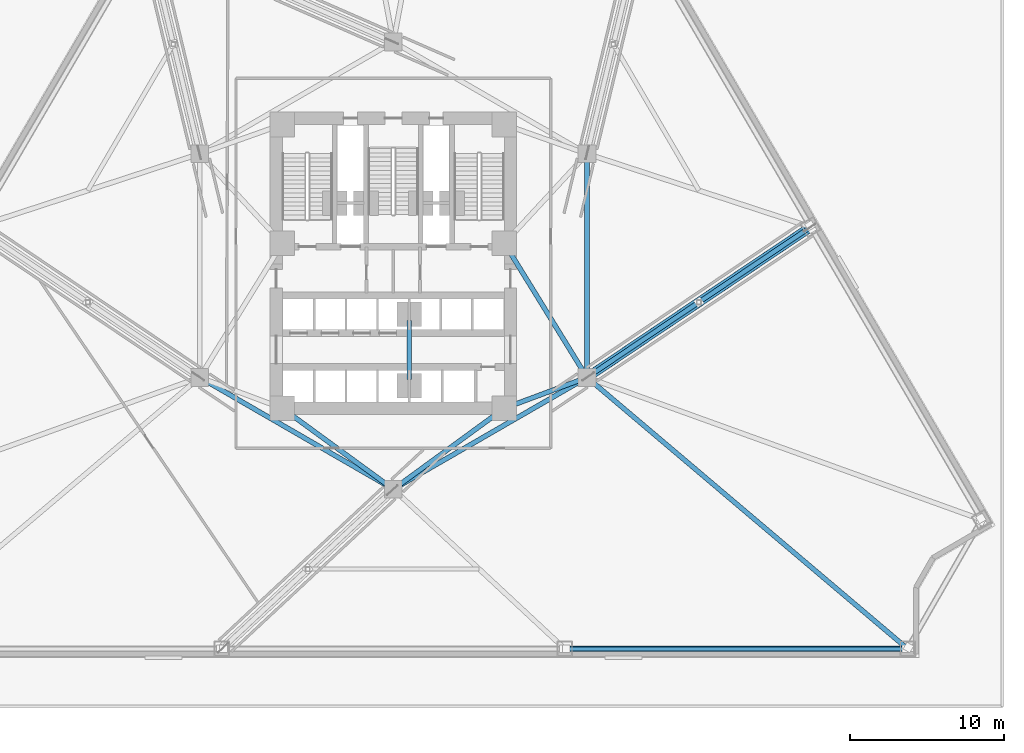
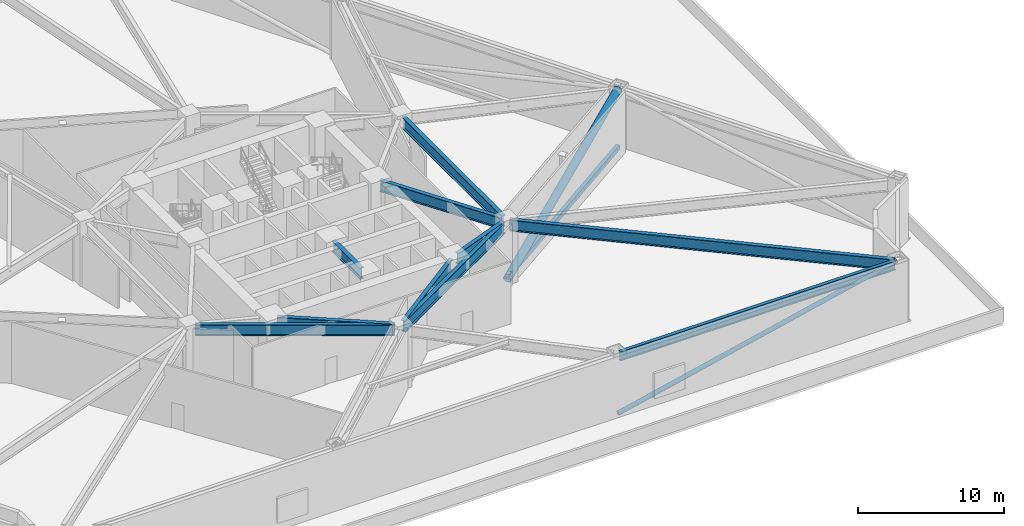
# One storey, part 3 of 23: 10 beams, 3 members.
"""IFC4 building model written with IfcOpenShell, lengths in metres."""

from ifc_helpers import new_model, si_unit, direction, frame, origin, origin_2d, place, context, subcontext, project, spatial, hollow_rectangle, hollow_circle, i_section, extrude, material, material_profile, profile_set, type_object, element, save


model = new_model("IFC4")

# Units and contexts
model_context = context("Model", 3, precision=1e-05, world=origin(), true_north=direction((0.0, 1.0)))
body_context = subcontext(model_context, "Body", "Model", "MODEL_VIEW")
ifc_project = project(units=[si_unit("LENGTHUNIT", "METRE"), si_unit("AREAUNIT", "SQUARE_METRE"), si_unit("VOLUMEUNIT", "CUBIC_METRE"), si_unit("PLANEANGLEUNIT", "RADIAN"), si_unit("MASSUNIT", "GRAM", prefix="KILO")], contexts=[model_context])

# Site, building, storey
site_placement = place(None, origin())
site = spatial("IfcSite", under=ifc_project, at=site_placement, CompositionType="ELEMENT")
building_placement = place(site_placement, origin())
building = spatial("IfcBuilding", under=site, at=building_placement, Name="Apsidion Concourse Tower", CompositionType="ELEMENT")
storey_placement = place(building_placement, frame((0.0, 0.0, 29.0)))
storey = spatial("IfcBuildingStorey", under=building, at=storey_placement, Name="L05", CompositionType="ELEMENT", Elevation=29.0)

# Beams
ifc_material_1 = material(Name="Structural steel ASTM A992 Grade 50", Category="steel")
ifc_material_profile_1 = material_profile(ifc_material_1, i_section(OverallWidth=0.31005859375, OverallDepth=0.931884765625, WebThickness=0.02099609375, FlangeThickness=0.034423828125, at=origin_2d()), Name="W36X210")
ifc_profile_set_1 = profile_set([ifc_material_profile_1], Name="Structural steel ASTM A992 Grade 50")
beam_type_1 = type_object("IfcBeamType", Name="BM-G-W36", PredefinedType="USERDEFINED", material=ifc_profile_set_1)
beam_1_placement = place(storey_placement, frame((12.185302734375, -7.389892578125, 4.68408203125), z_axis=(-0.936913021145, -0.349562570664, 0.0), x_axis=(0.349562570664, -0.936913021145, 0.0)))
element("IfcBeam", 1, at=beam_1_placement, inside=storey, type_object=beam_type_1, Name="L05 Core Coupling Girder IC2-SC2", ObjectType="GIRDER", PredefinedType="USERDEFINED", context=body_context, shape_type="SweptSolid", body=[
    extrude(i_section(OverallWidth=0.31005859375, OverallDepth=0.931884765625, WebThickness=0.02099609375, FlangeThickness=0.034423828125, at=origin_2d()), origin(), (0.0, 0.0, 1.0), 4.921142578125),
])
beam_2_placement = place(storey_placement, frame((12.35009765625, -6.909423828125, 4.68408203125), z_axis=(-0.524524009763, 0.851395656074, 0.0), x_axis=(-0.851395656074, -0.524524009763, 0.0)))
element("IfcBeam", 2, at=beam_2_placement, inside=storey, type_object=beam_type_1, Name="L05 Core Coupling Girder IC2-SC3", ObjectType="GIRDER", PredefinedType="USERDEFINED", context=body_context, shape_type="SweptSolid", body=[
    extrude(i_section(OverallWidth=0.31005859375, OverallDepth=0.931884765625, WebThickness=0.02099609375, FlangeThickness=0.034423828125, at=origin_2d()), origin(), (0.0, 0.0, 1.0), 9.41845703125),
])
for number, where, z_axis, x_axis, name in (
    (3, (-0.3232421875, -14.264404296875, 4.68408203125), (-0.807993498909, 0.589191399905, 0.0), (-0.589191399905, -0.807993498909, 0.0), "L05 Core Coupling Girder IC6-SC1"),
    (4, (0.3232421875, -14.264404296875, 4.68408203125), (0.807993498909, 0.589191399905, 0.0), (-0.589191399905, 0.807993498909, 0.0), "L05 Core Coupling Girder IC6-SC2"),
):
    element("IfcBeam", number, at=place(storey_placement, frame(where, z_axis=z_axis, x_axis=x_axis)), inside=storey, type_object=beam_type_1, Name=name, ObjectType="GIRDER", PredefinedType="USERDEFINED", context=body_context, shape_type="SweptSolid", body=[
        extrude(i_section(OverallWidth=0.31005859375, OverallDepth=0.931884765625, WebThickness=0.02099609375, FlangeThickness=0.034423828125, at=origin_2d()), origin(), (0.0, 0.0, 1.0), 8.11083984375),
    ])
beam_3_placement = place(storey_placement, frame((12.56005859375, 6.85009765625, 4.68408203125), z_axis=(0.0, -1.0, 0.0), x_axis=(1.0, 0.0, 0.0)))
element("IfcBeam", 5, at=beam_3_placement, inside=storey, type_object=beam_type_1, Name="L05 Core Coupling Girder IC3-IC2", ObjectType="GIRDER", PredefinedType="USERDEFINED", context=body_context, shape_type="SweptSolid", body=[
    extrude(i_section(OverallWidth=0.31005859375, OverallDepth=0.931884765625, WebThickness=0.02099609375, FlangeThickness=0.034423828125, at=origin_2d()), origin(), (0.0, 0.0, 1.0), 13.7001953125),
])
for number, where, z_axis, x_axis, name in (
    (6, (12.213623046875, -7.449951171875, 4.68408203125), (-0.866070471464, -0.499921932364, 0.0), (0.499921932364, -0.866070471464, 0.0), "L05 Core Coupling Girder IC2-IC6"),
    (7, (-0.346435546875, -14.300048828125, 4.68408203125), (-0.866070471464, 0.499921932364, 0.0), (-0.499921932364, -0.866070471464, 0.0), "L05 Core Coupling Girder IC6-IC1"),
):
    element("IfcBeam", number, at=place(storey_placement, frame(where, z_axis=z_axis, x_axis=x_axis)), inside=storey, type_object=beam_type_1, Name=name, ObjectType="GIRDER", PredefinedType="USERDEFINED", context=body_context, shape_type="SweptSolid", body=[
        extrude(i_section(OverallWidth=0.31005859375, OverallDepth=0.931884765625, WebThickness=0.02099609375, FlangeThickness=0.034423828125, at=origin_2d()), origin(), (0.0, 0.0, 1.0), 13.702392578125),
    ])
beam_4_placement = place(storey_placement, frame((1.02490234375, -3.550048828125, 4.68408203125), z_axis=(0.0, -1.0, 0.0), x_axis=(1.0, 0.0, 0.0)))
element("IfcBeam", 8, at=beam_4_placement, inside=storey, type_object=beam_type_1, Name="L05 Core Coupling Girder CC5-CC6", ObjectType="GIRDER", PredefinedType="USERDEFINED", context=body_context, shape_type="SweptSolid", body=[
    extrude(i_section(OverallWidth=0.31005859375, OverallDepth=0.931884765625, WebThickness=0.02099609375, FlangeThickness=0.034423828125, at=origin_2d()), origin(), (0.0, 0.0, 1.0), 3.849853515625),
])
beam_5_placement = place(storey_placement, frame((12.727783203125, -7.39208984375, 4.68408203125), z_axis=(0.763231804576, -0.646124765416, 0.0), x_axis=(0.646124765416, 0.763231804576, 0.0)))
element("IfcBeam", 9, at=beam_5_placement, inside=storey, type_object=beam_type_1, Name="L05 Radial Floor Girder RAD-08", ObjectType="GIRDER", PredefinedType="USERDEFINED", context=body_context, shape_type="SweptSolid", body=[
    extrude(i_section(OverallWidth=0.31005859375, OverallDepth=0.931884765625, WebThickness=0.02099609375, FlangeThickness=0.034423828125, at=origin_2d()), origin(), (0.0, 0.0, 1.0), 26.799560546875),
])
ifc_material_profile_2 = material_profile(ifc_material_1, i_section(OverallWidth=0.26806640625, OverallDepth=0.77001953125, WebThickness=0.015625, FlangeThickness=0.025390625, at=origin_2d()), Name="W30X132")
ifc_profile_set_2 = profile_set([ifc_material_profile_2], Name="Structural steel ASTM A992 Grade 50")
beam_type_2 = type_object("IfcBeamType", Name="BM-SP-W30", PredefinedType="SPANDREL", material=ifc_profile_set_2)
beam_6_placement = place(storey_placement, frame((11.336669921875, -24.85009765625, 4.764892578125), z_axis=(1.0, 0.0, 0.0), x_axis=(0.0, 1.0, 0.0)))
element("IfcBeam", 10, at=beam_6_placement, inside=storey, type_object=beam_type_2, Name="L05 Perimeter Spandrel Girder SP-07", PredefinedType="SPANDREL", context=body_context, shape_type="SweptSolid", body=[
    extrude(i_section(OverallWidth=0.26806640625, OverallDepth=0.77001953125, WebThickness=0.015625, FlangeThickness=0.025390625, at=origin_2d()), origin(), (0.0, 0.0, 1.0), 21.793212890625),
])

# Members
ifc_material_2 = material(Name="Structural steel ASTM A500 Grade C", Category="steel")
ifc_material_profile_3 = material_profile(ifc_material_2, hollow_circle(Radius=0.177978515625, WallThickness=0.02001953125, at=origin_2d()), Name="CHS356X20")
ifc_profile_set_3 = profile_set([ifc_material_profile_3], Name="Structural steel ASTM A500 Grade C")
member_type_1 = type_object("IfcMemberType", Name="MB-BR-CHS356", PredefinedType="BRACE", material=ifc_profile_set_3)
member_1_placement = place(storey_placement, frame((11.216796875, -24.85009765625, 0.0), z_axis=(0.974724871199, 0.0, 0.22340865128), x_axis=(0.0, 1.0, 0.0)))
element("IfcMember", 11, at=member_1_placement, inside=storey, type_object=member_type_1, Name="L05 Perimeter Belt-Truss Diagonal BT-07", PredefinedType="BRACE", context=body_context, shape_type="SweptSolid", body=[
    extrude(hollow_circle(Radius=0.177978515625, WallThickness=0.02001953125, at=origin_2d()), origin(), (0.0, 0.0, 1.0), 22.6044921875),
])
ifc_material_3 = material(Name="Structural steel ASTM A572 Grade 50", Category="steel")
ifc_material_profile_4 = material_profile(ifc_material_3, hollow_circle(Radius=0.304931640625, WallThickness=0.031982421875, at=origin_2d()), Name="CHS610X32")
ifc_profile_set_4 = profile_set([ifc_material_profile_4], Name="Structural steel ASTM A572 Grade 50")
member_type_2 = type_object("IfcMemberType", Name="MB-BR-CHS610", PredefinedType="BRACE", material=ifc_profile_set_4)
member_2_placement = place(storey_placement, frame((12.64306640625, -7.194091796875, 0.0), z_axis=(0.796457418459, 0.535699757527, 0.280501961433), x_axis=(-0.558105777834, 0.829769811905, 0.0)))
element("IfcMember", 12, at=member_2_placement, inside=storey, type_object=member_type_2, Name="L05 Radial Outrigger Truss Diagonal OT-02", PredefinedType="BRACE", context=body_context, shape_type="SweptSolid", body=[
    extrude(hollow_circle(Radius=0.304931640625, WallThickness=0.031982421875, at=origin_2d()), origin(), (0.0, 0.0, 1.0), 18.003662109375),
])
ifc_material_profile_5 = material_profile(ifc_material_2, hollow_rectangle(XDim=0.300048828125, YDim=0.39990234375, WallThickness=0.02001953125, at=origin_2d()), Name="HSS400X300X20")
ifc_profile_set_5 = profile_set([ifc_material_profile_5], Name="Structural steel ASTM A500 Grade C")
member_type_3 = type_object("IfcMemberType", Name="MB-CH-HSS400", PredefinedType="CHORD", material=ifc_profile_set_5)
member_3_placement = place(storey_placement, frame((12.64306640625, -7.194091796875, 0.219970703125), z_axis=(0.829769811905, 0.558105777834, 0.0), x_axis=(-0.558105777834, 0.829769811905, 0.0)))
element("IfcMember", 13, at=member_3_placement, inside=storey, type_object=member_type_3, Name="L05 Radial Outrigger Bottom Chord OTC-02", PredefinedType="CHORD", context=body_context, shape_type="SweptSolid", body=[
    extrude(hollow_rectangle(XDim=0.300048828125, YDim=0.39990234375, WallThickness=0.02001953125, at=origin_2d()), origin(), (0.0, 0.0, 1.0), 17.28076171875),
])

save(model, "model.ifc")
